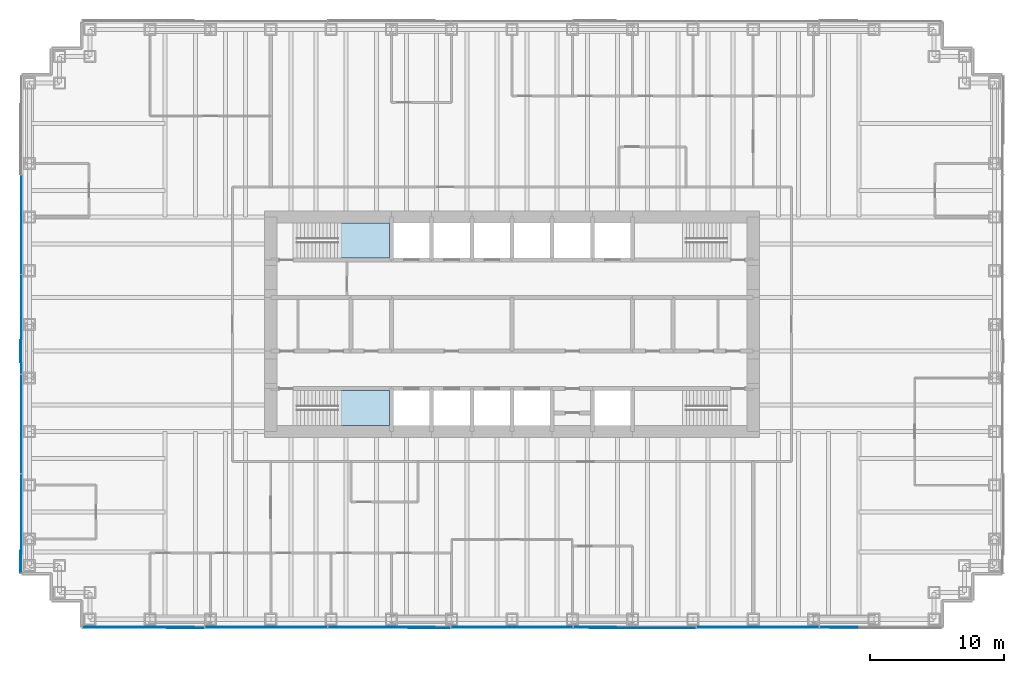
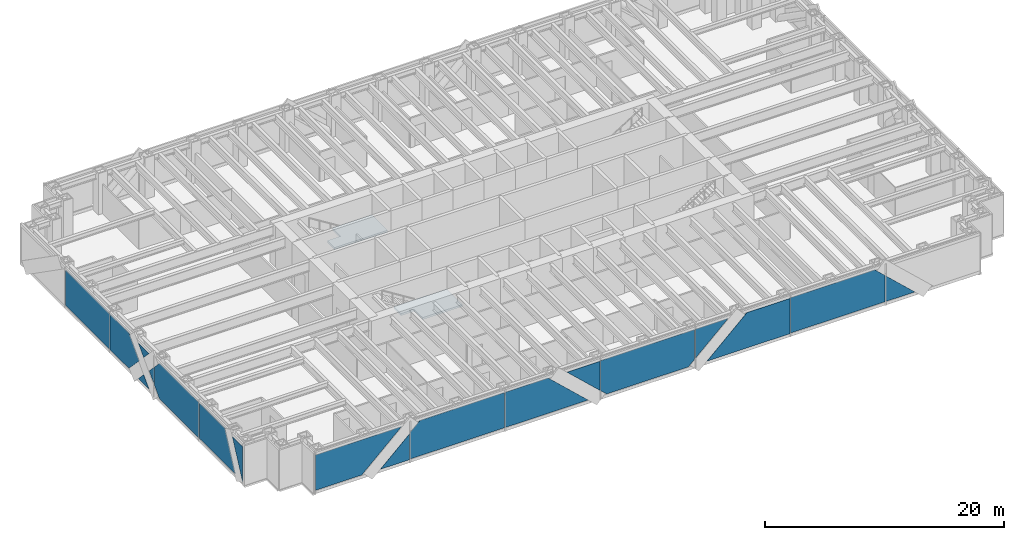
# One storey, part 10 of 17: 18 plates, 2 slabs, 4 elements without a shape of their own.
"""IFC4 building model written with IfcOpenShell, lengths in metres."""

import ifcopenshell
import ifcopenshell.guid

model = None  # the IFC model being written
_history = None  # IfcOwnerHistory: only IFC2X3 demands one
_inside = {}  # id of a spatial element -> (the spatial element, [elements in it])
_under = {}  # id of a project, library or spatial element -> (it, [spatial elements below it])
_declared = {}  # id of a project -> (the project, [libraries it declares])
_typed = {}  # id of a type object -> (the type object, [elements of that type])
_made_of = {}  # id of a material, layer set ... -> (it, [elements and type objects made of it])


def new_model(schema):
    """Start an empty IFC model of exactly this schema.

    Asked for "IFC4X3", IfcOpenShell would pick the latest addendum, in which some entities
    have other attributes; the version numbers below select the first issue.
    IFC2X3 requires an IfcOwnerHistory on every rooted entity: one is made here for all.
    """
    global model, _history
    if schema == "IFC4X3":
        model = ifcopenshell.file(schema_version=(4, 3, 0, 0))
    else:
        model = ifcopenshell.file(schema=schema)
    _inside.clear()
    _under.clear()
    _declared.clear()
    _typed.clear()
    _made_of.clear()
    _history = None
    if model.schema == "IFC2X3":
        org = make("IfcOrganization", Name="unknown")
        user = make(
            "IfcPersonAndOrganization",
            ThePerson=make("IfcPerson", FamilyName="unknown"),
            TheOrganization=org,
        )
        app = make(
            "IfcApplication",
            ApplicationDeveloper=org,
            Version="unknown",
            ApplicationFullName="unknown",
            ApplicationIdentifier="unknown",
        )
        _history = make(
            "IfcOwnerHistory",
            OwningUser=user,
            OwningApplication=app,
            ChangeAction="ADDED",
            CreationDate=0,
        )
    return model


def make(cls, **values):
    """One entity of the class cls with the attributes given. An attribute that is None is left unset."""
    return model.create_entity(
        cls, **{name: value for name, value in values.items() if value is not None}
    )


def rooted(cls, **values):
    """An entity with a GlobalId (a new one), such as an element, a storey or a relation."""
    return make(cls, GlobalId=ifcopenshell.guid.new(), OwnerHistory=_history, **values)


def si_unit(unit_type, name, prefix=None):
    """IfcSIUnit, for example si_unit("LENGTHUNIT", "METRE", prefix="MILLI")."""
    return make("IfcSIUnit", UnitType=unit_type, Prefix=prefix, Name=name)


def assignment(units):
    """IfcUnitAssignment: the units of a project."""
    return None if units is None else make("IfcUnitAssignment", Units=units)


def point(xyz):
    """IfcCartesianPoint."""
    return None if xyz is None else make("IfcCartesianPoint", Coordinates=xyz)


def direction(xyz):
    """IfcDirection."""
    return None if xyz is None else make("IfcDirection", DirectionRatios=xyz)


def frame(location, z_axis=None, x_axis=None):
    """IfcAxis2Placement3D, a coordinate frame: its origin and axes. An axis left out is left unset."""
    return make(
        "IfcAxis2Placement3D",
        Location=point(location),
        Axis=direction(z_axis),
        RefDirection=direction(x_axis),
    )


def frame_2d(location, x_axis=None):
    """IfcAxis2Placement2D, a coordinate frame in the plane: its origin and x axis."""
    return make(
        "IfcAxis2Placement2D", Location=point(location), RefDirection=direction(x_axis)
    )


def origin():
    """The frame at (0, 0, 0) with its axes left unset."""
    return frame((0.0, 0.0, 0.0))


def origin_2d():
    """The frame at (0, 0) in the plane with its x axis left unset."""
    return frame_2d((0.0, 0.0))


def place(relative_to, where):
    """IfcLocalPlacement: puts the frame where relative to a parent placement (None: the world)."""
    return make(
        "IfcLocalPlacement", PlacementRelTo=relative_to, RelativePlacement=where
    )


def context(
    kind, dimensions, precision=None, world=None, true_north=None, identifier=None
):
    """IfcGeometricRepresentationContext, for example the 3D "Model" context."""
    return make(
        "IfcGeometricRepresentationContext",
        ContextIdentifier=identifier,
        ContextType=kind,
        CoordinateSpaceDimension=dimensions,
        Precision=precision,
        WorldCoordinateSystem=world,
        TrueNorth=true_north,
    )


def subcontext(parent, identifier, kind, view, scale=None):
    """IfcGeometricRepresentationSubContext, for example "Body" below "Model"."""
    return make(
        "IfcGeometricRepresentationSubContext",
        ContextIdentifier=identifier,
        ContextType=kind,
        ParentContext=parent,
        TargetScale=scale,
        TargetView=view,
    )


def project(units=None, contexts=None):
    """IfcProject with its units and contexts."""
    return rooted(
        "IfcProject",
        Name="project",
        RepresentationContexts=contexts,
        UnitsInContext=assignment(units),
    )


def spatial(cls, under=None, at=None, **own):
    """A site, building, storey or space (cls), placed at a placement, below another one or the project."""
    s = rooted(cls, ObjectPlacement=at, **own)
    if under is not None:
        _under.setdefault(under.id(), (under, []))[1].append(s)
    return s


def polyline(points):
    """IfcPolyline through the points."""
    return make("IfcPolyline", Points=[point(p) for p in points])


def profile(cls, at=None, kind="AREA", **sizes):
    """A parametric profile (cls). Its sizes go by their IFC names, for example OverallWidth=200.0."""
    return make(cls, ProfileType=kind, Position=at, **sizes)


def rectangle(**sizes):
    """IfcRectangleProfileDef."""
    return profile("IfcRectangleProfileDef", **sizes)


def outline(outer, holes=None, kind="AREA"):
    """IfcArbitraryClosedProfileDef: a profile drawn as a closed curve; with holes, ...WithVoids."""
    if holes is None:
        return make("IfcArbitraryClosedProfileDef", ProfileType=kind, OuterCurve=outer)
    return make(
        "IfcArbitraryProfileDefWithVoids",
        ProfileType=kind,
        OuterCurve=outer,
        InnerCurves=holes,
    )


def extrude(swept, where, along, depth):
    """IfcExtrudedAreaSolid: the profile swept, set in the frame where, extruded along a direction by depth."""
    return make(
        "IfcExtrudedAreaSolid",
        SweptArea=swept,
        Position=where,
        ExtrudedDirection=direction(along),
        Depth=depth,
    )


def shape(context_of_items, identifier, shape_type, items):
    """IfcShapeRepresentation: the items that make up one representation, for example the "Body"."""
    return make(
        "IfcShapeRepresentation",
        ContextOfItems=context_of_items,
        RepresentationIdentifier=identifier,
        RepresentationType=shape_type,
        Items=items,
    )


def material(Name=None, Category=None):
    """IfcMaterial."""
    return make("IfcMaterial", Name=Name, Category=Category)


def layer(
    of_material, thickness, ventilated=None, Name=None, Category=None, Priority=None
):
    """IfcMaterialLayer: one layer of a wall or slab, of a material (None: an air gap)."""
    return make(
        "IfcMaterialLayer",
        Material=of_material,
        LayerThickness=thickness,
        IsVentilated=ventilated,
        Name=Name,
        Category=Category,
        Priority=Priority,
    )


def layer_set(layers, Name=None):
    """IfcMaterialLayerSet."""
    return make("IfcMaterialLayerSet", MaterialLayers=layers, LayerSetName=Name)


def made_of(thing, what):
    """Note that an element or type object is made of a material, layer set ...; save() writes the relation."""
    if what is not None:
        _made_of.setdefault(what.id(), (what, []))[1].append(thing)
    return thing


def type_object(cls, material=None, **own):
    """A type object (cls), such as IfcWallType, which elements share."""
    return made_of(rooted(cls, **own), material)


def element(
    cls,
    number,
    at=None,
    inside=None,
    cuts=None,
    type_object=None,
    material=None,
    context=None,
    identifier="Body",
    shape_type=None,
    held_by="IfcProductDefinitionShape",
    body=None,
    shapes=None,
    **own,
):
    """One element of the class cls, such as IfcWall. Its Tag is "e" and its number.

    at: its placement. inside: the storey or other place that contains it. cuts: it is an
    opening in that element (IfcRelVoidsElement). A single representation is given by context,
    identifier, shape_type and body (its items); several are given by shapes. held_by: the class
    of the entity that holds the representations. save() writes the other relations.
    """
    e = rooted(cls, Tag="e%d" % number, ObjectPlacement=at, **own)
    if body is not None:
        shapes = [shape(context, identifier, shape_type, body)]
    if shapes is not None:
        e.Representation = make(held_by, Representations=shapes)
    if inside is not None:
        _inside.setdefault(inside.id(), (inside, []))[1].append(e)
    if cuts is not None:
        rooted(
            "IfcRelVoidsElement", RelatingBuildingElement=cuts, RelatedOpeningElement=e
        )
    if type_object is not None:
        _typed.setdefault(type_object.id(), (type_object, []))[1].append(e)
    return made_of(e, material)


def aggregate(whole, parts):
    """IfcRelAggregates: a whole, such as a stair, and the parts it consists of."""
    return rooted("IfcRelAggregates", RelatingObject=whole, RelatedObjects=parts)


def save(model, path):
    """Write the relations noted so far, then the file.

    IfcRelAggregates (storeys below a building ...), IfcRelContainedInSpatialStructure (elements
    in a storey), IfcRelDefinesByType, IfcRelAssociatesMaterial and IfcRelDeclares: one each for
    every whole, place, type object, material and project.
    """
    for whole, parts in _under.values():
        aggregate(whole, parts)
    for where, things in _inside.values():
        rooted(
            "IfcRelContainedInSpatialStructure",
            RelatedElements=things,
            RelatingStructure=where,
        )
    for kind, things in _typed.values():
        rooted("IfcRelDefinesByType", RelatedObjects=things, RelatingType=kind)
    for what, things in _made_of.values():
        rooted("IfcRelAssociatesMaterial", RelatedObjects=things, RelatingMaterial=what)
    for by, libraries in _declared.values():
        rooted("IfcRelDeclares", RelatingContext=by, RelatedDefinitions=libraries)
    model.write(path)


model = new_model("IFC4")

# Units and contexts
model_context = context("Model", 3, precision=1e-05, world=origin(), true_north=direction((0.0, 1.0)))
body_context = subcontext(model_context, "Body", "Model", "MODEL_VIEW")
ifc_project = project(units=[si_unit("LENGTHUNIT", "METRE"), si_unit("AREAUNIT", "SQUARE_METRE"), si_unit("VOLUMEUNIT", "CUBIC_METRE"), si_unit("PLANEANGLEUNIT", "RADIAN"), si_unit("MASSUNIT", "GRAM", prefix="KILO")], contexts=[model_context])

# Site, building, storey
site_placement = place(None, origin())
site = spatial("IfcSite", under=ifc_project, at=site_placement, CompositionType="ELEMENT")
building_placement = place(site_placement, origin())
building = spatial("IfcBuilding", under=site, at=building_placement, Name="Rheinbord Bourse Tower", CompositionType="ELEMENT")
storey_placement = place(building_placement, frame((0.0, 0.0, 159.300048828125)))
storey = spatial("IfcBuildingStorey", under=building, at=storey_placement, Name="L35", CompositionType="ELEMENT", Elevation=159.300048828125)

# Curtain wall, plates
ifc_material_1 = material(Name="Dark glass and black aluminium", Category="aluminium")
curtain_wall_type = type_object("IfcCurtainWallType", Name="CW2 DARK GLASS CURTAIN WALL", PredefinedType="USERDEFINED", material=ifc_material_1)
curtain_wall_1_placement = place(storey_placement, origin())
curtain_wall_1 = element("IfcCurtainWall", 1, at=curtain_wall_1_placement, inside=storey, type_object=curtain_wall_type, Name="Curtain wall CW2 S L35", ObjectType="UNITISED CURTAIN WALL", PredefinedType="USERDEFINED")
ifc_material_2 = material(Name="Dark tinted triple insulating glass", Category="glass")
ifc_layer_1 = layer(ifc_material_2, 0.050048828125)
ifc_layer_set_1 = layer_set([ifc_layer_1], Name="CW2 DARK GLASS PANEL")
plate_type = type_object("IfcPlateType", Name="CW2 DARK GLASS PANEL", PredefinedType="CURTAIN_PANEL", material=ifc_layer_set_1)
plate_1_placement = place(storey_placement, frame((3.969970703125, 1.375, 0.300048828125), z_axis=(0.0, 1.0, 0.0), x_axis=(0.0, 0.0, 1.0)))
plate_1 = element("IfcPlate", 2, at=plate_1_placement, type_object=plate_type, Name="CW2 glass facet 1", PredefinedType="CURTAIN_PANEL", context=body_context, shape_type="SweptSolid", body=[
    extrude(outline(polyline([(0.0, 0.0), (3.599853515625, 0.0), (3.599853515625, 8.322021484375), (0.0, 4.465087890625), (0.0, 0.0)])), origin(), (0.0, 0.0, 1.0), 0.050048828125),
])
plate_2_placement = place(storey_placement, frame((13.035888671875, 1.31982421875, 0.300048828125), z_axis=(0.0, 1.0, 0.0), x_axis=(-1.0, 0.0, 0.0)))
plate_2 = element("IfcPlate", 3, at=plate_2_placement, type_object=plate_type, Name="CW2 glass facet 2", PredefinedType="CURTAIN_PANEL", context=body_context, shape_type="SweptSolid", body=[
    extrude(outline(polyline([(0.0, 0.0), (2.827880859375, 0.0), (0.0, 2.639892578125), (0.0, 0.0)])), origin(), (0.0, 0.0, 1.0), 0.050048828125),
])
plate_3_placement = place(storey_placement, frame((22.2080078125, 1.375, 3.89990234375), z_axis=(0.0, 1.0, 0.0), x_axis=(0.0, 0.0, -1.0)))
plate_3 = element("IfcPlate", 4, at=plate_3_placement, type_object=plate_type, Name="CW2 glass facet 1", PredefinedType="CURTAIN_PANEL", context=body_context, shape_type="SweptSolid", body=[
    extrude(outline(polyline([(0.0, 0.0), (3.599853515625, 0.0), (3.599853515625, 9.10205078125), (0.89501953125, 9.10205078125), (0.0, 8.14306640625), (0.0, 0.0)])), origin(), (0.0, 0.0, 1.0), 0.050048828125),
])
plate_4_placement = place(storey_placement, frame((22.278076171875, 1.375, 0.300048828125), z_axis=(0.0, 1.0, 0.0), x_axis=(0.0, 0.0, 1.0)))
plate_4 = element("IfcPlate", 5, at=plate_4_placement, type_object=plate_type, Name="CW2 glass facet 1", PredefinedType="CURTAIN_PANEL", context=body_context, shape_type="SweptSolid", body=[
    extrude(outline(polyline([(0.0, 0.0), (3.599853515625, 0.0), (3.599853515625, 4.156982421875), (0.0, 8.013916015625), (0.0, 0.0)])), origin(), (0.0, 0.0, 1.0), 0.050048828125),
])
plate_5_placement = place(storey_placement, frame((31.37890625, 1.31982421875, 3.89990234375), z_axis=(0.0, 1.0, 0.0), x_axis=(0.0, 0.0, -1.0)))
plate_5 = element("IfcPlate", 6, at=plate_5_placement, type_object=plate_type, Name="CW2 glass facet 2", PredefinedType="CURTAIN_PANEL", context=body_context, shape_type="SweptSolid", body=[
    extrude(outline(polyline([(0.0, 0.0), (2.9599609375, 0.0), (0.0, 3.1708984375), (0.0, 0.0)])), origin(), (0.0, 0.0, 1.0), 0.050048828125),
])
plate_6_placement = place(storey_placement, frame((32.06494140625, 1.375, 0.300048828125), z_axis=(0.0, 1.0, 0.0), x_axis=(-0.731026361921, 0.0, 0.682349220104)))
plate_6 = element("IfcPlate", 7, at=plate_6_placement, type_object=plate_type, Name="CW2 glass facet 1", PredefinedType="CURTAIN_PANEL", context=body_context, shape_type="SweptSolid", body=[
    extrude(outline(polyline([(0.0, 0.0), (0.842529296875, 0.0), (2.90673828125, 2.211181640625), (-3.747314453125, 8.422119140625), (-5.811279296875, 6.210693359375), (-5.753173828125, 5.3701171875), (0.0, 0.0)])), origin(), (0.0, 0.0, 1.0), 0.050048828125),
])
plate_7_placement = place(storey_placement, frame((40.62109375, 1.375, 3.89990234375), z_axis=(0.0, 1.0, 0.0), x_axis=(1.0, 0.0, 0.0)))
plate_7 = element("IfcPlate", 8, at=plate_7_placement, type_object=plate_type, Name="CW2 glass facet 1", PredefinedType="CURTAIN_PANEL", context=body_context, shape_type="SweptSolid", body=[
    extrude(outline(polyline([(0.0, 0.0), (3.1708984375, 0.0), (0.0, 2.9599609375), (0.0, 0.0)])), origin(), (0.0, 0.0, 1.0), 0.050048828125),
])
plate_8_placement = place(storey_placement, frame((49.721923828125, 1.31982421875, 3.89990234375), z_axis=(0.0, 1.0, 0.0), x_axis=(0.0, 0.0, -1.0)))
plate_8 = element("IfcPlate", 9, at=plate_8_placement, type_object=plate_type, Name="CW2 glass facet 2", PredefinedType="CURTAIN_PANEL", context=body_context, shape_type="SweptSolid", body=[
    extrude(outline(polyline([(0.0, 0.0), (3.599853515625, 0.0), (3.599853515625, 8.013916015625), (0.0, 4.156982421875), (0.0, 0.0)])), origin(), (0.0, 0.0, 1.0), 0.050048828125),
])
plate_9_placement = place(storey_placement, frame((58.89404296875, 1.375, 0.300048828125), z_axis=(0.0, 1.0, 0.0), x_axis=(-1.0, 0.0, 0.0)))
plate_9 = element("IfcPlate", 10, at=plate_9_placement, type_object=plate_type, Name="CW2 glass facet 1", PredefinedType="CURTAIN_PANEL", context=body_context, shape_type="SweptSolid", body=[
    extrude(outline(polyline([(0.0, 0.0), (9.10205078125, 0.0), (9.10205078125, 3.599853515625), (0.958984375, 3.599853515625), (0.0, 2.704833984375), (0.0, 0.0)])), origin(), (0.0, 0.0, 1.0), 0.050048828125),
])
plate_10_placement = place(storey_placement, frame((58.964111328125, 1.375, 0.300048828125), z_axis=(0.0, 1.0, 0.0), x_axis=(0.0, 0.0, 1.0)))
plate_10 = element("IfcPlate", 11, at=plate_10_placement, type_object=plate_type, Name="CW2 glass facet 1", PredefinedType="CURTAIN_PANEL", context=body_context, shape_type="SweptSolid", body=[
    extrude(outline(polyline([(0.0, 0.0), (2.639892578125, 0.0), (0.0, 2.827880859375), (0.0, 0.0)])), origin(), (0.0, 0.0, 1.0), 0.050048828125),
])
aggregate(curtain_wall_1, [plate_1, plate_2, plate_3, plate_4, plate_5, plate_6, plate_7, plate_8, plate_9, plate_10])

curtain_wall_2_placement = place(storey_placement, origin())
curtain_wall_2 = element("IfcCurtainWall", 12, at=curtain_wall_2_placement, inside=storey, type_object=curtain_wall_type, Name="Curtain wall CW2 W L35", ObjectType="UNITISED CURTAIN WALL", PredefinedType="USERDEFINED")
plate_11_placement = place(storey_placement, frame((-0.60009765625, 31.43994140625, 0.2998046875), z_axis=(0.0, 0.0, 1.0), x_axis=(0.0, -1.0, 0.0)))
plate_11 = element("IfcPlate", 13, at=plate_11_placement, type_object=plate_type, Name="CW2 panel 2.1", PredefinedType="CURTAIN_PANEL", context=body_context, shape_type="SweptSolid", body=[
    extrude(rectangle(XDim=7.3701171875, YDim=0.050048828125, at=origin_2d()), origin(), (0.0, 0.0, 1.0), 3.60009765625),
])
plate_12_placement = place(storey_placement, frame((-0.625, 27.68505859375, 0.300048828125), z_axis=(1.0, 0.0, 0.0), x_axis=(0.0, 0.0, 1.0)))
plate_12 = element("IfcPlate", 14, at=plate_12_placement, type_object=plate_type, Name="CW2 glass facet 1", PredefinedType="CURTAIN_PANEL", context=body_context, shape_type="SweptSolid", body=[
    extrude(outline(polyline([(0.0, 0.0), (3.599853515625, 0.0), (3.599853515625, 3.135009765625), (1.7998046875, 4.85009765625), (0.0, 3.135009765625), (0.0, 0.0)])), origin(), (0.0, 0.0, 1.0), 0.050048828125),
])
plate_13_placement = place(storey_placement, frame((-0.68017578125, 22.87890625, 0.300048828125), z_axis=(1.0, 0.0, 0.0), x_axis=(0.0, -0.689655172414, 0.724137931034)))
plate_13 = element("IfcPlate", 15, at=plate_13_placement, type_object=plate_type, Name="CW2 glass facet 2", PredefinedType="CURTAIN_PANEL", context=body_context, shape_type="SweptSolid", body=[
    extrude(outline(polyline([(0.0, 0.0), (1.2744140625, 0.0), (1.21240234375, 1.27294921875), (0.0, 0.0)])), origin(), (0.0, 0.0, 1.0), 0.050048828125),
])
plate_14_placement = place(storey_placement, frame((-0.68017578125, 21.12109375, 3.89990234375), z_axis=(1.0, 0.0, 0.0), x_axis=(0.0, 0.689655172414, -0.724137931034)))
plate_14 = element("IfcPlate", 16, at=plate_14_placement, type_object=plate_type, Name="CW2 glass facet 3", PredefinedType="CURTAIN_PANEL", context=body_context, shape_type="SweptSolid", body=[
    extrude(outline(polyline([(0.0, 0.0), (1.2744140625, 0.0), (1.21240234375, 1.27294921875), (0.0, 0.0)])), origin(), (0.0, 0.0, 1.0), 0.050048828125),
])
plate_15_placement = place(storey_placement, frame((-0.625, 20.31494140625, 1.2080078125), z_axis=(1.0, 0.0, 0.0), x_axis=(0.0, 0.689961879422, 0.723845705206)))
plate_15 = element("IfcPlate", 17, at=plate_15_placement, type_object=plate_type, Name="CW2 glass facet 4", PredefinedType="CURTAIN_PANEL", context=body_context, shape_type="SweptSolid", body=[
    extrude(outline(polyline([(0.0, 0.0), (1.232177734375, 0.0), (1.291259765625, 1.23095703125), (0.0, 0.0)])), origin(), (0.0, 0.0, 1.0), 0.050048828125),
])
plate_16_placement = place(storey_placement, frame((-0.625, 12.875, 3.89990234375), z_axis=(1.0, 0.0, 0.0), x_axis=(0.0, 0.0, -1.0)))
plate_16 = element("IfcPlate", 18, at=plate_16_placement, type_object=plate_type, Name="CW2 glass facet 1", PredefinedType="CURTAIN_PANEL", context=body_context, shape_type="SweptSolid", body=[
    extrude(outline(polyline([(0.0, 0.0), (3.599853515625, 0.0), (3.599853515625, 6.574951171875), (2.764892578125, 7.3701171875), (0.8349609375, 7.3701171875), (0.0, 6.574951171875), (0.0, 0.0)])), origin(), (0.0, 0.0, 1.0), 0.050048828125),
])
plate_17_placement = place(storey_placement, frame((-0.625, 12.804931640625, 0.300048828125), z_axis=(1.0, 0.0, 0.0), x_axis=(0.0, 0.0, 1.0)))
plate_17 = element("IfcPlate", 19, at=plate_17_placement, type_object=plate_type, Name="CW2 glass facet 1", PredefinedType="CURTAIN_PANEL", context=body_context, shape_type="SweptSolid", body=[
    extrude(outline(polyline([(0.0, 0.0), (3.599853515625, 0.0), (3.599853515625, 4.27783203125), (0.0, 5.991943359375), (0.0, 0.0)])), origin(), (0.0, 0.0, 1.0), 0.050048828125),
])
plate_18_placement = place(storey_placement, frame((-0.68017578125, 5.469970703125, 3.89990234375), z_axis=(1.0, 0.0, 0.0), x_axis=(0.0, 0.0, -1.0)))
plate_18 = element("IfcPlate", 20, at=plate_18_placement, type_object=plate_type, Name="CW2 glass facet 2", PredefinedType="CURTAIN_PANEL", context=body_context, shape_type="SweptSolid", body=[
    extrude(outline(polyline([(0.0, 0.0), (3.599853515625, 0.0), (3.599853515625, 0.0029296875), (0.0, 1.717041015625), (0.0, 0.0)])), origin(), (0.0, 0.0, 1.0), 0.050048828125),
])
aggregate(curtain_wall_2, [plate_11, plate_12, plate_13, plate_14, plate_15, plate_16, plate_17, plate_18])

# Stair, slab
ifc_material_3 = material(Name="Concrete C30/37", Category="concrete")
stair_type = type_object("IfcStairType", Name="CORE STAIR HALF TURN 4200", PredefinedType="HALF_TURN_STAIR", material=ifc_material_3)
stair_1_placement = place(storey_placement, origin())
stair_1 = element("IfcStair", 21, at=stair_1_placement, inside=storey, type_object=stair_type, Name="Stair ST1 L35, type CS6", PredefinedType="HALF_TURN_STAIR")
ifc_material_4 = material(Name="Concrete C30/37", Category="concrete")
ifc_layer_2 = layer(ifc_material_4, 0.199951171875)
ifc_layer_set_2 = layer_set([ifc_layer_2], Name="STAIR LANDING 200")
slab_type = type_object("IfcSlabType", Name="STAIR LANDING 200", PredefinedType="LANDING", material=ifc_layer_set_2)
slab_1_placement = place(storey_placement, frame((0.0, 0.0, 1.89990234375)))
slab_1 = element("IfcSlab", 22, at=slab_1_placement, type_object=slab_type, Name="Half landing ST1 L35", PredefinedType="LANDING", context=body_context, shape_type="SweptSolid", body=[
    extrude(outline(polyline([(23.030029296875, 16.449951171875), (26.85009765625, 16.449951171875), (26.85009765625, 19.050048828125), (21.748046875, 19.050048828125), (21.748046875, 17.85009765625), (23.030029296875, 17.85009765625), (23.030029296875, 16.449951171875)])), origin(), (0.0, 0.0, 1.0), 0.199951171875),
])
aggregate(stair_1, [slab_1])

stair_2_placement = place(storey_placement, origin())
stair_2 = element("IfcStair", 23, at=stair_2_placement, inside=storey, type_object=stair_type, Name="Stair ST2 L35, type CS6", PredefinedType="HALF_TURN_STAIR")
slab_2_placement = place(storey_placement, frame((0.0, 0.0, 1.89990234375)))
slab_2 = element("IfcSlab", 24, at=slab_2_placement, type_object=slab_type, Name="Half landing ST2 L35", PredefinedType="LANDING", context=body_context, shape_type="SweptSolid", body=[
    extrude(outline(polyline([(21.748046875, 28.949951171875), (26.85009765625, 28.949951171875), (26.85009765625, 31.550048828125), (23.030029296875, 31.550048828125), (23.030029296875, 30.14990234375), (21.748046875, 30.14990234375), (21.748046875, 28.949951171875)])), origin(), (0.0, 0.0, 1.0), 0.199951171875),
])
aggregate(stair_2, [slab_2])

save(model, "model.ifc")
